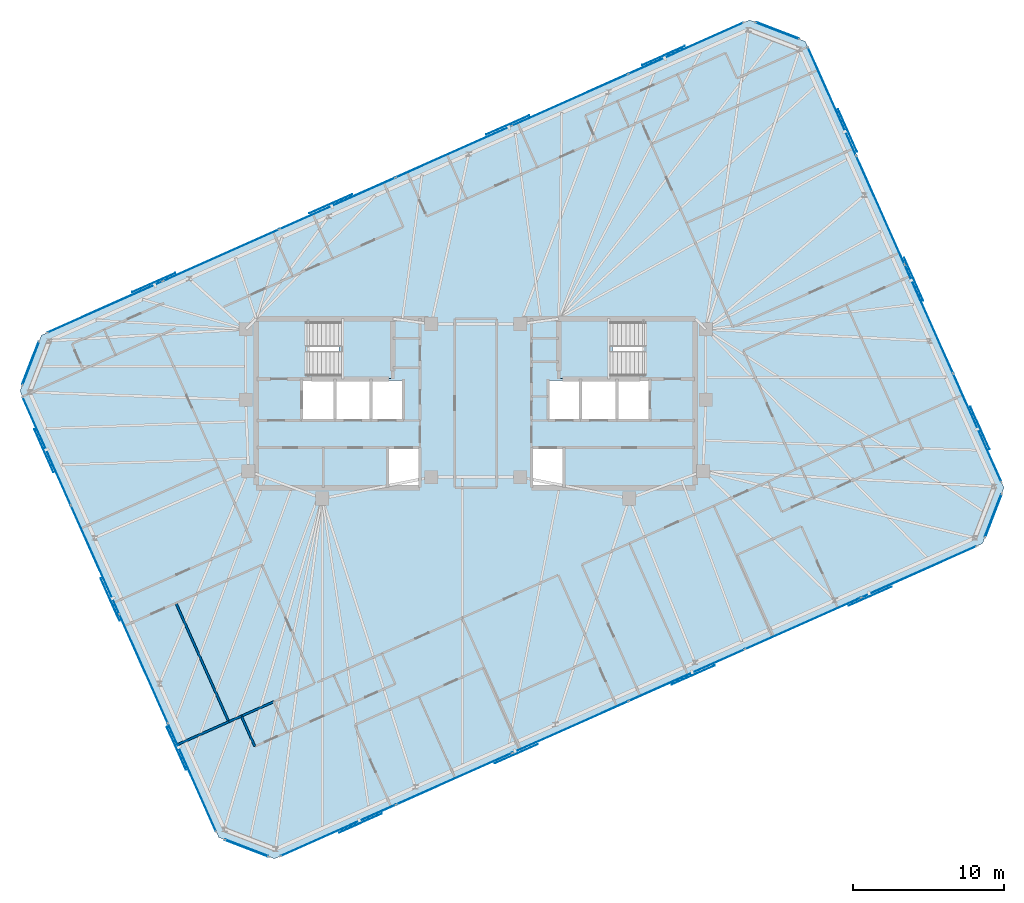
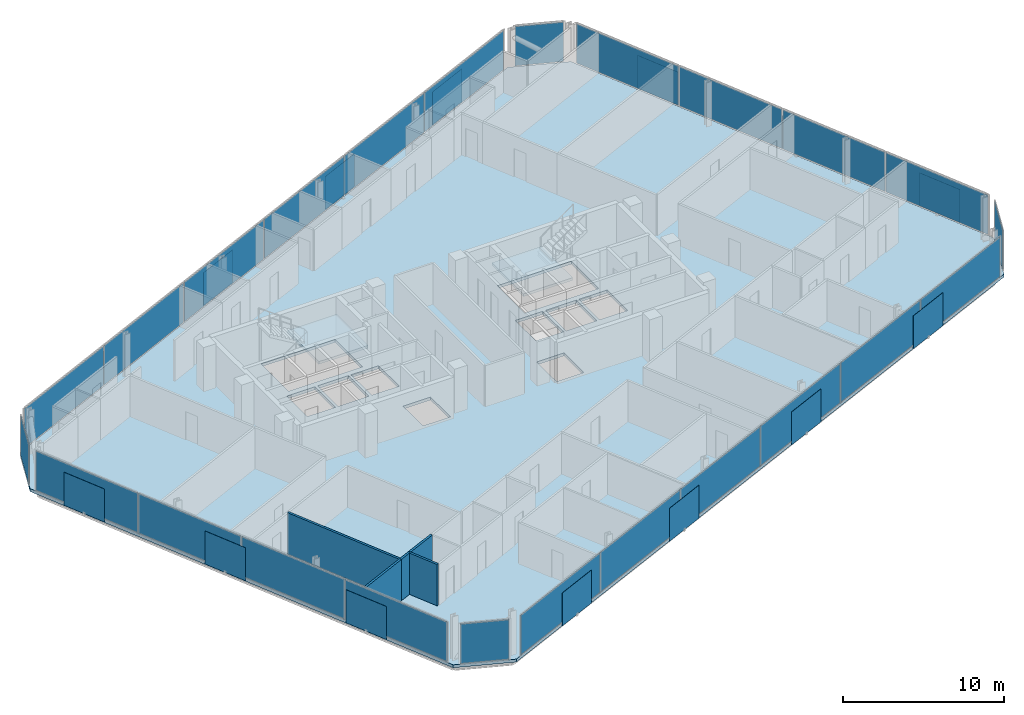
# One storey, part 12 of 18: 38 plates, 5 walls, 3 slabs, 10 elements without a shape of their own.
"""IFC4 building model written with IfcOpenShell, lengths in metres."""

from ifc_helpers import new_model, si_unit, direction, frame, frame_2d, origin, origin_2d, place, context, subcontext, project, spatial, polyline, rectangle, outline, extrude, material, layer, layer_set, type_object, element, aggregate, save


model = new_model("IFC4")

# Units and contexts
model_context = context("Model", 3, precision=1e-05, world=origin(), true_north=direction((0.0, 1.0)))
body_context = subcontext(model_context, "Body", "Model", "MODEL_VIEW")
ifc_project = project(units=[si_unit("LENGTHUNIT", "METRE"), si_unit("AREAUNIT", "SQUARE_METRE"), si_unit("VOLUMEUNIT", "CUBIC_METRE"), si_unit("PLANEANGLEUNIT", "RADIAN"), si_unit("MASSUNIT", "GRAM", prefix="KILO")], contexts=[model_context])

# Site, building, storey
site_placement = place(None, origin())
site = spatial("IfcSite", under=ifc_project, at=site_placement, CompositionType="ELEMENT")
building_placement = place(site_placement, origin())
building = spatial("IfcBuilding", under=site, at=building_placement, Name="Menara Jurai Vektor", CompositionType="ELEMENT")
storey_placement = place(building_placement, frame((0.0, 0.0, 298.64990234375)))
storey = spatial("IfcBuildingStorey", under=building, at=storey_placement, Name="L80", CompositionType="ELEMENT", Elevation=298.64990234375)

# Curtain wall, plates
ifc_material_1 = material(Name="Anodised Pale Aluminium & Low-E Double Glazing", Category="aluminium")
curtain_wall_type = type_object("IfcCurtainWallType", Name="CW-BLK5", PredefinedType="NOTDEFINED", material=ifc_material_1)
curtain_wall_1_placement = place(storey_placement, origin())
curtain_wall_1 = element("IfcCurtainWall", 1, at=curtain_wall_1_placement, inside=storey, type_object=curtain_wall_type, Name="Unitised Curtain Wall L80 F01", PredefinedType="NOTDEFINED")
ifc_material_2 = material(Name="Low-E Solar-Control Double Glazed Unit", Category="glass")
ifc_layer_1 = layer(ifc_material_2, 0.028076171875)
ifc_layer_set_1 = layer_set([ifc_layer_1], Name="Low-E Solar-Control Double Glazed Unit")
plate_type_1 = type_object("IfcPlateType", Name="CW-BLK5-PNL", PredefinedType="CURTAIN_PANEL", material=ifc_layer_set_1)
plate_1_placement = place(storey_placement, frame((-9.130615234375, -28.331787109375, 0.074951171875), z_axis=(0.0, 0.0, 1.0), x_axis=(0.913545967158, 0.406735498684, 0.0)))
plate_1 = element("IfcPlate", 2, at=plate_1_placement, type_object=plate_type_1, Name="CW-05 panel 1.1", PredefinedType="CURTAIN_PANEL", context=body_context, shape_type="SweptSolid", body=[
    extrude(rectangle(XDim=8.327392578125, YDim=0.028076171875, at=origin_2d()), origin(), (0.0, 0.0, 1.0), 2.97509765625),
])
plate_2_placement = place(storey_placement, frame((-1.4375, -24.90673828125, 0.074951171875), z_axis=(0.0, 0.0, 1.0), x_axis=(0.913545967158, 0.406735498684, 0.0)))
plate_2 = element("IfcPlate", 3, at=plate_2_placement, type_object=plate_type_1, Name="CW-05 panel 2.1", PredefinedType="CURTAIN_PANEL", context=body_context, shape_type="SweptSolid", body=[
    extrude(rectangle(XDim=8.364990234375, YDim=0.028076171875, at=origin_2d()), origin(), (0.0, 0.0, 1.0), 2.97509765625),
])
plate_3_placement = place(storey_placement, frame((6.27294921875, -21.473876953125, 0.074951171875), z_axis=(0.0, 0.0, 1.0), x_axis=(0.913545967158, 0.406735498684, 0.0)))
plate_3 = element("IfcPlate", 4, at=plate_3_placement, type_object=plate_type_1, Name="CW-05 panel 3.1", PredefinedType="CURTAIN_PANEL", context=body_context, shape_type="SweptSolid", body=[
    extrude(rectangle(XDim=8.364990234375, YDim=0.028076171875, at=origin_2d()), origin(), (0.0, 0.0, 1.0), 2.97509765625),
])
plate_4_placement = place(storey_placement, frame((13.983154296875, -18.041015625, 0.074951171875), z_axis=(0.0, 0.0, 1.0), x_axis=(0.913545967158, 0.406735498684, 0.0)))
plate_4 = element("IfcPlate", 5, at=plate_4_placement, type_object=plate_type_1, Name="CW-05 panel 4.1", PredefinedType="CURTAIN_PANEL", context=body_context, shape_type="SweptSolid", body=[
    extrude(rectangle(XDim=8.364990234375, YDim=0.028076171875, at=origin_2d()), origin(), (0.0, 0.0, 1.0), 2.97509765625),
])
plate_5_placement = place(storey_placement, frame((21.693603515625, -14.608154296875, 0.074951171875), z_axis=(0.0, 0.0, 1.0), x_axis=(0.913545967158, 0.406735498684, 0.0)))
plate_5 = element("IfcPlate", 6, at=plate_5_placement, type_object=plate_type_1, Name="CW-05 panel 5.1", PredefinedType="CURTAIN_PANEL", context=body_context, shape_type="SweptSolid", body=[
    extrude(rectangle(XDim=8.364990234375, YDim=0.028076171875, at=origin_2d()), origin(), (0.0, 0.0, 1.0), 2.97509765625),
])
plate_6_placement = place(storey_placement, frame((29.38671875, -11.182861328125, 0.074951171875), z_axis=(0.0, 0.0, 1.0), x_axis=(0.913545967158, 0.406735498684, 0.0)))
plate_6 = element("IfcPlate", 7, at=plate_6_placement, type_object=plate_type_1, Name="CW-05 panel 6.1", PredefinedType="CURTAIN_PANEL", context=body_context, shape_type="SweptSolid", body=[
    extrude(rectangle(XDim=8.327392578125, YDim=0.028076171875, at=origin_2d()), origin(), (0.0, 0.0, 1.0), 2.97509765625),
])
aggregate(curtain_wall_1, [plate_1, plate_2, plate_3, plate_4, plate_5, plate_6])

curtain_wall_2_placement = place(storey_placement, origin())
curtain_wall_2 = element("IfcCurtainWall", 8, at=curtain_wall_2_placement, inside=storey, type_object=curtain_wall_type, Name="Unitised Curtain Wall L80 F03", PredefinedType="NOTDEFINED")
plate_7_placement = place(storey_placement, frame((33.25439453125, -1.630126953125, 0.074951171875), z_axis=(0.0, 0.0, 1.0), x_axis=(-0.406735138086, 0.913546127706, 0.0)))
plate_7 = element("IfcPlate", 9, at=plate_7_placement, type_object=plate_type_1, Name="CW-05 panel 1.1", PredefinedType="CURTAIN_PANEL", context=body_context, shape_type="SweptSolid", body=[
    extrude(rectangle(XDim=7.797607421875, YDim=0.028076171875, at=origin_2d()), origin(), (0.0, 0.0, 1.0), 2.97509765625),
])
plate_8_placement = place(storey_placement, frame((30.044677734375, 5.578857421875, 0.074951171875), z_axis=(0.0, 0.0, 1.0), x_axis=(-0.406735138086, 0.913546127706, 0.0)))
plate_8 = element("IfcPlate", 10, at=plate_8_placement, type_object=plate_type_1, Name="CW-05 panel 2.1", PredefinedType="CURTAIN_PANEL", context=body_context, shape_type="SweptSolid", body=[
    extrude(rectangle(XDim=7.8349609375, YDim=0.028076171875, at=origin_2d()), origin(), (0.0, 0.0, 1.0), 2.97509765625),
])
plate_9_placement = place(storey_placement, frame((26.827392578125, 12.80517578125, 0.074951171875), z_axis=(0.0, 0.0, 1.0), x_axis=(-0.406735138086, 0.913546127706, 0.0)))
plate_9 = element("IfcPlate", 11, at=plate_9_placement, type_object=plate_type_1, Name="CW-05 panel 3.1", PredefinedType="CURTAIN_PANEL", context=body_context, shape_type="SweptSolid", body=[
    extrude(rectangle(XDim=7.8349609375, YDim=0.028076171875, at=origin_2d()), origin(), (0.0, 0.0, 1.0), 2.97509765625),
])
plate_10_placement = place(storey_placement, frame((23.61767578125, 20.01416015625, 0.074951171875), z_axis=(0.0, 0.0, 1.0), x_axis=(-0.406735138086, 0.913546127706, 0.0)))
plate_10 = element("IfcPlate", 12, at=plate_10_placement, type_object=plate_type_1, Name="CW-05 panel 4.1", PredefinedType="CURTAIN_PANEL", context=body_context, shape_type="SweptSolid", body=[
    extrude(rectangle(XDim=7.797607421875, YDim=0.028076171875, at=origin_2d()), origin(), (0.0, 0.0, 1.0), 2.97509765625),
])
aggregate(curtain_wall_2, [plate_7, plate_8, plate_9, plate_10])

curtain_wall_3_placement = place(storey_placement, origin())
curtain_wall_3 = element("IfcCurtainWall", 13, at=curtain_wall_3_placement, inside=storey, type_object=curtain_wall_type, Name="Unitised Curtain Wall L80 F05", PredefinedType="NOTDEFINED")
plate_11_placement = place(storey_placement, frame((13.9306640625, 23.53173828125, 0.074951171875), z_axis=(0.0, 0.0, 1.0), x_axis=(-0.913545967158, -0.406735498684, 0.0)))
plate_11 = element("IfcPlate", 14, at=plate_11_placement, type_object=plate_type_1, Name="CW-05 panel 1.1", PredefinedType="CURTAIN_PANEL", context=body_context, shape_type="SweptSolid", body=[
    extrude(rectangle(XDim=8.327392578125, YDim=0.028076171875, at=origin_2d()), origin(), (0.0, 0.0, 1.0), 2.97509765625),
])
plate_12_placement = place(storey_placement, frame((6.237548828125, 20.106689453125, 0.074951171875), z_axis=(0.0, 0.0, 1.0), x_axis=(-0.913545967158, -0.406735498684, 0.0)))
plate_12 = element("IfcPlate", 15, at=plate_12_placement, type_object=plate_type_1, Name="CW-05 panel 2.1", PredefinedType="CURTAIN_PANEL", context=body_context, shape_type="SweptSolid", body=[
    extrude(rectangle(XDim=8.364990234375, YDim=0.028076171875, at=origin_2d()), origin(), (0.0, 0.0, 1.0), 2.97509765625),
])
plate_13_placement = place(storey_placement, frame((-1.472900390625, 16.673828125, 0.074951171875), z_axis=(0.0, 0.0, 1.0), x_axis=(-0.913545967158, -0.406735498684, 0.0)))
plate_13 = element("IfcPlate", 16, at=plate_13_placement, type_object=plate_type_1, Name="CW-05 panel 3.1", PredefinedType="CURTAIN_PANEL", context=body_context, shape_type="SweptSolid", body=[
    extrude(rectangle(XDim=8.364990234375, YDim=0.028076171875, at=origin_2d()), origin(), (0.0, 0.0, 1.0), 2.97509765625),
])
plate_14_placement = place(storey_placement, frame((-9.18310546875, 13.240966796875, 0.074951171875), z_axis=(0.0, 0.0, 1.0), x_axis=(-0.913545967158, -0.406735498684, 0.0)))
plate_14 = element("IfcPlate", 17, at=plate_14_placement, type_object=plate_type_1, Name="CW-05 panel 4.1", PredefinedType="CURTAIN_PANEL", context=body_context, shape_type="SweptSolid", body=[
    extrude(rectangle(XDim=8.364990234375, YDim=0.028076171875, at=origin_2d()), origin(), (0.0, 0.0, 1.0), 2.97509765625),
])
plate_15_placement = place(storey_placement, frame((-16.8935546875, 9.80810546875, 0.074951171875), z_axis=(0.0, 0.0, 1.0), x_axis=(-0.913545967158, -0.406735498684, 0.0)))
plate_15 = element("IfcPlate", 18, at=plate_15_placement, type_object=plate_type_1, Name="CW-05 panel 5.1", PredefinedType="CURTAIN_PANEL", context=body_context, shape_type="SweptSolid", body=[
    extrude(rectangle(XDim=8.364990234375, YDim=0.028076171875, at=origin_2d()), origin(), (0.0, 0.0, 1.0), 2.97509765625),
])
plate_16_placement = place(storey_placement, frame((-24.586669921875, 6.3828125, 0.074951171875), z_axis=(0.0, 0.0, 1.0), x_axis=(-0.913545967158, -0.406735498684, 0.0)))
plate_16 = element("IfcPlate", 19, at=plate_16_placement, type_object=plate_type_1, Name="CW-05 panel 6.1", PredefinedType="CURTAIN_PANEL", context=body_context, shape_type="SweptSolid", body=[
    extrude(rectangle(XDim=8.327392578125, YDim=0.028076171875, at=origin_2d()), origin(), (0.0, 0.0, 1.0), 2.97509765625),
])
aggregate(curtain_wall_3, [plate_11, plate_12, plate_13, plate_14, plate_15, plate_16])

curtain_wall_4_placement = place(storey_placement, origin())
curtain_wall_4 = element("IfcCurtainWall", 20, at=curtain_wall_4_placement, inside=storey, type_object=curtain_wall_type, Name="Unitised Curtain Wall L80 F07", PredefinedType="NOTDEFINED")
plate_17_placement = place(storey_placement, frame((-28.454345703125, -3.169921875, 0.074951171875), z_axis=(0.0, 0.0, 1.0), x_axis=(0.406735138086, -0.913546127706, 0.0)))
plate_17 = element("IfcPlate", 21, at=plate_17_placement, type_object=plate_type_1, Name="CW-05 panel 1.1", PredefinedType="CURTAIN_PANEL", context=body_context, shape_type="SweptSolid", body=[
    extrude(rectangle(XDim=7.797607421875, YDim=0.028076171875, at=origin_2d()), origin(), (0.0, 0.0, 1.0), 2.97509765625),
])
plate_18_placement = place(storey_placement, frame((-25.24462890625, -10.37890625, 0.074951171875), z_axis=(0.0, 0.0, 1.0), x_axis=(0.406735138086, -0.913546127706, 0.0)))
plate_18 = element("IfcPlate", 22, at=plate_18_placement, type_object=plate_type_1, Name="CW-05 panel 2.1", PredefinedType="CURTAIN_PANEL", context=body_context, shape_type="SweptSolid", body=[
    extrude(rectangle(XDim=7.8349609375, YDim=0.028076171875, at=origin_2d()), origin(), (0.0, 0.0, 1.0), 2.97509765625),
])
plate_19_placement = place(storey_placement, frame((-22.02734375, -17.60498046875, 0.074951171875), z_axis=(0.0, 0.0, 1.0), x_axis=(0.406735138086, -0.913546127706, 0.0)))
plate_19 = element("IfcPlate", 23, at=plate_19_placement, type_object=plate_type_1, Name="CW-05 panel 3.1", PredefinedType="CURTAIN_PANEL", context=body_context, shape_type="SweptSolid", body=[
    extrude(rectangle(XDim=7.8349609375, YDim=0.028076171875, at=origin_2d()), origin(), (0.0, 0.0, 1.0), 2.97509765625),
])
plate_20_placement = place(storey_placement, frame((-18.81787109375, -24.814208984375, 0.074951171875), z_axis=(0.0, 0.0, 1.0), x_axis=(0.406735138086, -0.913546127706, 0.0)))
plate_20 = element("IfcPlate", 24, at=plate_20_placement, type_object=plate_type_1, Name="CW-05 panel 4.1", PredefinedType="CURTAIN_PANEL", context=body_context, shape_type="SweptSolid", body=[
    extrude(rectangle(XDim=7.797607421875, YDim=0.028076171875, at=origin_2d()), origin(), (0.0, 0.0, 1.0), 2.97509765625),
])
aggregate(curtain_wall_4, [plate_17, plate_18, plate_19, plate_20])

# Curtain wall, plate
curtain_wall_5_placement = place(storey_placement, origin())
curtain_wall_5 = element("IfcCurtainWall", 25, at=curtain_wall_5_placement, inside=storey, type_object=curtain_wall_type, Name="Unitised Curtain Wall L80 F02", PredefinedType="NOTDEFINED")
ifc_material_3 = material(Name="Insulated Pale Aluminium Spandrel Panel", Category="aluminium")
ifc_layer_2 = layer(ifc_material_3, 0.06005859375)
ifc_layer_set_2 = layer_set([ifc_layer_2], Name="Insulated Pale Aluminium Spandrel Panel")
plate_type_2 = type_object("IfcPlateType", Name="CW-PNL-SP", PredefinedType="CURTAIN_PANEL", material=ifc_layer_set_2)
plate_21_placement = place(storey_placement, frame((34.315673828125, -7.455810546875, 0.074951171875), z_axis=(0.0, 0.0, 1.0), x_axis=(0.358373766287, 0.933578193639, 0.0)))
plate_21 = element("IfcPlate", 26, at=plate_21_placement, type_object=plate_type_2, Name="CW-05 panel 1.1", PredefinedType="CURTAIN_PANEL", context=body_context, shape_type="SweptSolid", body=[
    extrude(rectangle(XDim=3.0498046875, YDim=0.06005859375, at=origin_2d()), origin(), (0.0, 0.0, 1.0), 2.97509765625),
])
aggregate(curtain_wall_5, [plate_21])

curtain_wall_6_placement = place(storey_placement, origin())
curtain_wall_6 = element("IfcCurtainWall", 27, at=curtain_wall_6_placement, inside=storey, type_object=curtain_wall_type, Name="Unitised Curtain Wall L80 F04", PredefinedType="NOTDEFINED")
plate_22_placement = place(storey_placement, frame((19.99853515625, 24.700927734375, 0.074951171875), z_axis=(0.0, 0.0, 1.0), x_axis=(-0.933578193639, 0.358373766287, 0.0)))
plate_22 = element("IfcPlate", 28, at=plate_22_placement, type_object=plate_type_2, Name="CW-05 panel 1.1", PredefinedType="CURTAIN_PANEL", context=body_context, shape_type="SweptSolid", body=[
    extrude(rectangle(XDim=3.0498046875, YDim=0.06005859375, at=origin_2d()), origin(), (0.0, 0.0, 1.0), 2.97509765625),
])
aggregate(curtain_wall_6, [plate_22])

curtain_wall_7_placement = place(storey_placement, origin())
curtain_wall_7 = element("IfcCurtainWall", 29, at=curtain_wall_7_placement, inside=storey, type_object=curtain_wall_type, Name="Unitised Curtain Wall L80 F06", PredefinedType="NOTDEFINED")
plate_23_placement = place(storey_placement, frame((-29.515625, 2.65576171875, 0.074951171875), z_axis=(0.0, 0.0, 1.0), x_axis=(-0.358373766287, -0.933578193639, 0.0)))
plate_23 = element("IfcPlate", 30, at=plate_23_placement, type_object=plate_type_2, Name="CW-05 panel 1.1", PredefinedType="CURTAIN_PANEL", context=body_context, shape_type="SweptSolid", body=[
    extrude(rectangle(XDim=3.0498046875, YDim=0.06005859375, at=origin_2d()), origin(), (0.0, 0.0, 1.0), 2.97509765625),
])
aggregate(curtain_wall_7, [plate_23])

curtain_wall_8_placement = place(storey_placement, origin())
curtain_wall_8 = element("IfcCurtainWall", 31, at=curtain_wall_8_placement, inside=storey, type_object=curtain_wall_type, Name="Unitised Curtain Wall L80 F08", PredefinedType="NOTDEFINED")
plate_24_placement = place(storey_placement, frame((-15.198486328125, -29.5009765625, 0.074951171875), z_axis=(0.0, 0.0, 1.0), x_axis=(0.933578193639, -0.358373766287, 0.0)))
plate_24 = element("IfcPlate", 32, at=plate_24_placement, type_object=plate_type_2, Name="CW-05 panel 1.1", PredefinedType="CURTAIN_PANEL", context=body_context, shape_type="SweptSolid", body=[
    extrude(rectangle(XDim=3.0498046875, YDim=0.06005859375, at=origin_2d()), origin(), (0.0, 0.0, 1.0), 2.97509765625),
])
aggregate(curtain_wall_8, [plate_24])

# Plates
ifc_material_4 = material(Name="Anodised Pale Aluminium Perforated Screen", Category="aluminium")
ifc_layer_3 = layer(ifc_material_4, 0.02197265625)
ifc_layer_set_3 = layer_set([ifc_layer_3], Name="Anodised Pale Aluminium Perforated Screen")
plate_type_3 = type_object("IfcPlateType", Name="ENV-PLT-SCREEN-HI", PredefinedType="USERDEFINED", material=ifc_layer_set_3)
for number, where, z_axis, x_axis, name in (
    (33, (-7.650390625, -27.847900390625, -0.0498046875), (0.0, 0.0, 1.0), (0.913545457643, 0.406736643076, 0.0), "Perforated Pale-Metal Solar Screen L80-S01"),
    (34, (2.68017578125, -23.24853515625, -0.0498046875), (0.0, 0.0, 1.0), (0.913545457643, 0.406736643076, 0.0), "Perforated Pale-Metal Solar Screen L80-S02"),
    (35, (14.419189453125, -18.02197265625, -0.0498046875), (0.0, 0.0, 1.0), (0.913545457643, 0.406736643076, 0.0), "Perforated Pale-Metal Solar Screen L80-S03"),
    (36, (26.158203125, -12.79541015625, -0.0498046875), (0.0, 0.0, 1.0), (0.913545457643, 0.406736643076, 0.0), "Perforated Pale-Metal Solar Screen L80-S04"),
    (37, (33.436279296875, -1.64501953125, -0.0498046875), (0.0, 0.0, 1.0), (-0.406736643076, 0.913545457643, 0.0), "Perforated Pale-Metal Solar Screen L80-S05"),
    (38, (29.04345703125, 8.22119140625, -0.0498046875), (0.0, 0.0, 1.0), (-0.406736643076, 0.913545457643, 0.0), "Perforated Pale-Metal Solar Screen L80-S06"),
    (39, (24.650634765625, 18.08740234375, -0.0498046875), (0.0, 0.0, 1.0), (-0.406736643076, 0.913545457643, 0.0), "Perforated Pale-Metal Solar Screen L80-S07"),
    (40, (12.4501953125, 23.0478515625, -0.0498046875), (0.0, 0.0, 1.0), (-0.913545457643, -0.406736643076, 0.0), "Perforated Pale-Metal Solar Screen L80-S08"),
    (41, (2.119873046875, 18.448486328125, -0.0498046875), (0.0, 0.0, 1.0), (-0.913545457643, -0.406736643076, 0.0), "Perforated Pale-Metal Solar Screen L80-S09"),
    (42, (-9.619140625, 13.221923828125, -0.0498046875), (0.0, 0.0, 1.0), (-0.913545457643, -0.406736643076, 0.0), "Perforated Pale-Metal Solar Screen L80-S10"),
    (43, (-21.358154296875, 7.995361328125, -0.0498046875), (0.0, 0.0, 1.0), (-0.913545457643, -0.406736643076, 0.0), "Perforated Pale-Metal Solar Screen L80-S11"),
    (44, (-28.63623046875, -3.15478515625, -0.0498046875), (0.0, 0.0, 1.0), (0.406736643076, -0.913545457643, 0.0), "Perforated Pale-Metal Solar Screen L80-S12"),
    (45, (-24.243408203125, -13.02099609375, -0.0498046875), (0.0, 0.0, 1.0), (0.406736643076, -0.913545457643, 0.0), "Perforated Pale-Metal Solar Screen L80-S13"),
    (46, (-19.8505859375, -22.887451171875, -0.0498046875), (0.0, 0.0, 1.0), (0.406736643076, -0.913545457643, 0.0), "Perforated Pale-Metal Solar Screen L80-S14"),
):
    element("IfcPlate", number, at=place(storey_placement, frame(where, z_axis=z_axis, x_axis=x_axis)), inside=storey, type_object=plate_type_3, Name=name, ObjectType="SCREEN", PredefinedType="USERDEFINED", context=body_context, shape_type="SweptSolid", body=[
        extrude(rectangle(XDim=3.10009765625, YDim=0.02197265625, at=origin_2d()), origin(), (0.0, 0.0, 1.0), 2.5),
    ])

# Stair, slab
ifc_material_5 = material(Name="Concrete C40/50", Category="concrete")
stair_type = type_object("IfcStairType", Name="STAIR-DOGLEG-1500", PredefinedType="HALF_TURN_STAIR", material=ifc_material_5)
stair_1_placement = place(storey_placement, origin())
stair_1 = element("IfcStair", 47, at=stair_1_placement, inside=storey, type_object=stair_type, Name="Protected Exit Stair ST1 L80", PredefinedType="HALF_TURN_STAIR")
ifc_layer_4 = layer(ifc_material_5, 0.199951171875)
ifc_layer_set_4 = layer_set([ifc_layer_4], Name="Concrete C40/50")
slab_type_1 = type_object("IfcSlabType", Name="STAIR-LANDING-200", PredefinedType="LANDING", material=ifc_layer_set_4)
slab_1_placement = place(storey_placement, frame((0.0, 0.0, 1.47509765625)))
slab_1 = element("IfcSlab", 48, at=slab_1_placement, type_object=slab_type_1, Name="ST1 landing 1", PredefinedType="LANDING", context=body_context, shape_type="SweptSolid", body=[
    extrude(outline(polyline([(-9.080078125, 1.64990234375), (-5.550048828125, 1.64990234375), (-5.550048828125, 5.550048828125), (-9.080078125, 5.550048828125), (-9.080078125, 1.64990234375)])), origin(), (0.0, 0.0, 1.0), 0.199951171875),
])
aggregate(stair_1, [slab_1])

stair_2_placement = place(storey_placement, origin())
stair_2 = element("IfcStair", 49, at=stair_2_placement, inside=storey, type_object=stair_type, Name="Protected Exit Stair ST2 L80", PredefinedType="HALF_TURN_STAIR")
slab_2_placement = place(storey_placement, frame((0.0, 0.0, 1.47509765625)))
slab_2 = element("IfcSlab", 50, at=slab_2_placement, type_object=slab_type_1, Name="ST2 landing 1", PredefinedType="LANDING", context=body_context, shape_type="SweptSolid", body=[
    extrude(outline(polyline([(5.550048828125, 1.64990234375), (9.080078125, 1.64990234375), (9.080078125, 5.550048828125), (5.550048828125, 5.550048828125), (5.550048828125, 1.64990234375)])), origin(), (0.0, 0.0, 1.0), 0.199951171875),
])
aggregate(stair_2, [slab_2])

# Slab
ifc_layer_5 = layer(ifc_material_5, 0.22509765625)
ifc_layer_set_5 = layer_set([ifc_layer_5], Name="Concrete C40/50")
slab_type_2 = type_object("IfcSlabType", Name="STR-SLAB-TYP200", PredefinedType="FLOOR", material=ifc_layer_set_5)
slab_3_placement = place(storey_placement, frame((0.0, 0.0, -0.224853515625)))
element("IfcSlab", 51, at=slab_3_placement, inside=storey, type_object=slab_type_2, Name="Composite Floor Slab L80", PredefinedType="FLOOR", context=body_context, shape_type="SweptSolid", body=[
    extrude(outline(polyline([(-13.35009765625, -30.21044921875), (33.606201171875, -9.30419921875), (35.025146484375, -5.607421875), (21.846923828125, 23.991455078125), (18.150146484375, 25.410400390625), (-28.80615234375, 4.504150390625), (-30.22509765625, 0.807373046875), (-17.046875, -28.79150390625), (-13.35009765625, -30.21044921875)]), holes=[polyline([(-11.10009765625, 1.89990234375), (-11.10009765625, 5.300048828125), (-5.800048828125, 5.300048828125), (-5.800048828125, 1.89990234375), (-11.10009765625, 1.89990234375)]), polyline([(5.800048828125, 1.89990234375), (5.800048828125, 5.300048828125), (11.10009765625, 5.300048828125), (11.10009765625, 1.89990234375), (5.800048828125, 1.89990234375)]), polyline([(-11.449951171875, -1.050048828125), (-11.449951171875, 1.5), (-9.449951171875, 1.5), (-9.449951171875, -1.050048828125), (-11.449951171875, -1.050048828125)]), polyline([(9.449951171875, -1.050048828125), (9.449951171875, 1.5), (11.449951171875, 1.5), (11.449951171875, -1.050048828125), (9.449951171875, -1.050048828125)]), polyline([(-5.760009765625, -5.5), (-5.760009765625, -3.050048828125), (-3.800048828125, -3.050048828125), (-3.800048828125, -5.5), (-5.760009765625, -5.5)]), polyline([(-6.85009765625, -1.050048828125), (-6.85009765625, 1.5), (-4.889892578125, 1.5), (-4.889892578125, -1.050048828125), (-6.85009765625, -1.050048828125)]), polyline([(3.800048828125, -5.5), (3.800048828125, -3.050048828125), (5.760009765625, -3.050048828125), (5.760009765625, -5.5), (3.800048828125, -5.5)]), polyline([(4.889892578125, -1.050048828125), (4.889892578125, 1.5), (6.85009765625, 1.5), (6.85009765625, -1.050048828125), (4.889892578125, -1.050048828125)]), polyline([(-9.25, -1.050048828125), (-9.25, 1.5), (-7.050048828125, 1.5), (-7.050048828125, -1.050048828125), (-9.25, -1.050048828125)]), polyline([(7.050048828125, -1.050048828125), (7.050048828125, 1.5), (9.25, 1.5), (9.25, -1.050048828125), (7.050048828125, -1.050048828125)])]), origin(), (0.0, 0.0, 1.0), 0.224853515625),
])

# Walls
ifc_material_6 = material(Name="Gypsum Fireboard Partition", Category="gypsum")
ifc_layer_6 = layer(ifc_material_6, 0.14990234375)
ifc_layer_set_6 = layer_set([ifc_layer_6], Name="Gypsum Fireboard Partition")
wall_type = type_object("IfcWallType", Name="INT-WALL-CORR-150", PredefinedType="PARTITIONING", material=ifc_layer_set_6)
wall_1_placement = place(storey_placement, frame((-14.651611328125, -22.7607421875, 0.0), z_axis=(0.0, 0.0, 1.0), x_axis=(-0.406725294076, 0.913550510459, 0.0)))
element("IfcWall", 52, at=wall_1_placement, inside=storey, type_object=wall_type, Name="Interior Wall IW-150 L80", PredefinedType="PARTITIONING", context=body_context, shape_type="SweptSolid", body=[
    extrude(rectangle(XDim=2.199951171875, YDim=0.14990234375, at=frame_2d((1.10009765625, 0.0))), origin(), (0.0, 0.0, 1.0), 3.125),
])
wall_2_placement = place(storey_placement, frame((-19.786376953125, -22.638671875, 0.0), z_axis=(0.0, 0.0, 1.0), x_axis=(0.913549333679, 0.406727937244, 0.0)))
element("IfcWall", 53, at=wall_2_placement, inside=storey, type_object=wall_type, Name="Interior Wall IW-150 L80", PredefinedType="PARTITIONING", context=body_context, shape_type="SweptSolid", body=[
    extrude(rectangle(XDim=3.72705078125, YDim=0.14990234375, at=frame_2d((1.863525390625, 0.0))), origin(), (0.0, 0.0, 1.0), 3.125),
])
wall_3_placement = place(storey_placement, frame((-16.381591796875, -21.122802734375, 0.0), z_axis=(0.0, 0.0, 1.0), x_axis=(0.913558091922, 0.406708264834, 0.0)))
element("IfcWall", 54, at=wall_3_placement, inside=storey, type_object=wall_type, Name="Interior Wall IW-150 L80", PredefinedType="PARTITIONING", context=body_context, shape_type="SweptSolid", body=[
    extrude(rectangle(XDim=0.914306640625, YDim=0.14990234375, at=frame_2d((0.45703125, 0.0))), origin(), (0.0, 0.0, 1.0), 3.125),
])
wall_4_placement = place(storey_placement, frame((-15.54638671875, -20.7509765625, 0.0), z_axis=(0.0, 0.0, 1.0), x_axis=(0.913541436194, 0.406745675276, 0.0)))
element("IfcWall", 55, at=wall_4_placement, inside=storey, type_object=wall_type, Name="Interior Wall IW-150 L80", PredefinedType="PARTITIONING", context=body_context, shape_type="SweptSolid", body=[
    extrude(rectangle(XDim=2.349853515625, YDim=0.14990234375, at=frame_2d((1.1748046875, 0.0))), origin(), (0.0, 0.0, 1.0), 3.125),
])
wall_5_placement = place(storey_placement, frame((-16.381591796875, -21.122802734375, 0.0), z_axis=(0.0, 0.0, 1.0), x_axis=(-0.406727374199, 0.913549584356, 0.0)))
element("IfcWall", 56, at=wall_5_placement, inside=storey, type_object=wall_type, Name="Interior Wall IW-150 L80", PredefinedType="PARTITIONING", context=body_context, shape_type="SweptSolid", body=[
    extrude(rectangle(XDim=8.614990234375, YDim=0.14990234375, at=frame_2d((4.3076171875, 0.0))), origin(), (0.0, 0.0, 1.0), 3.125),
])

save(model, "model.ifc")
